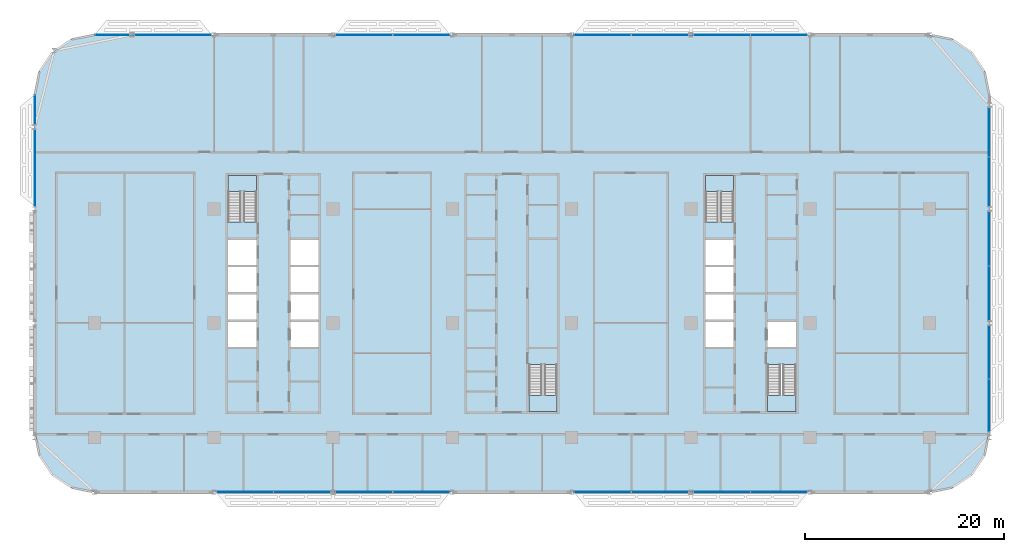
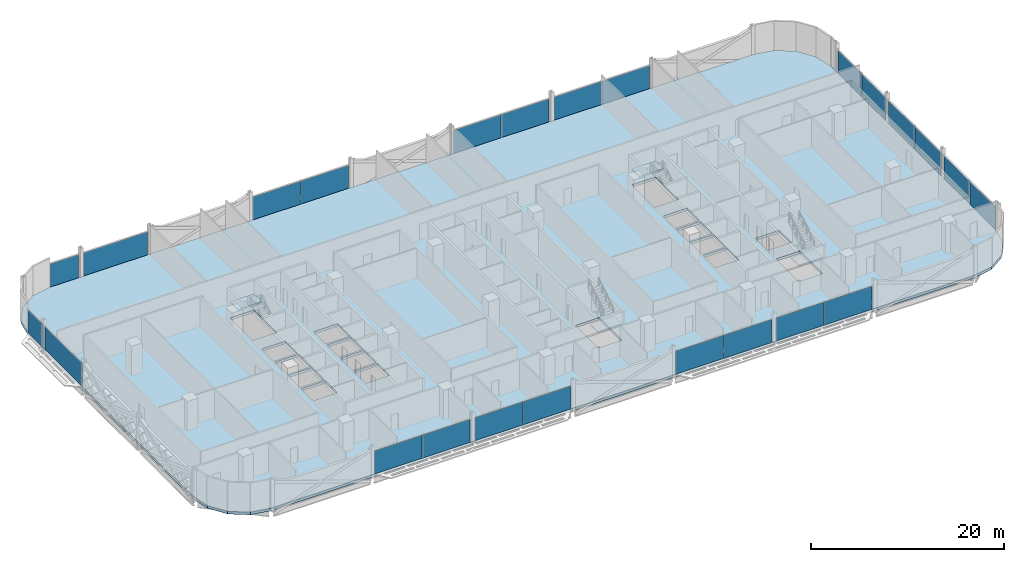
# One storey, part 11 of 29: 24 plates, 5 slabs, 18 elements without a shape of their own.
"""IFC4 building model written with IfcOpenShell, lengths in metres."""

from ifc_helpers import new_model, si_unit, direction, frame, origin, origin_2d, place, context, subcontext, project, spatial, polyline, rectangle, outline, extrude, material, layer, layer_set, type_object, element, aggregate, save


model = new_model("IFC4")

# Units and contexts
model_context = context("Model", 3, precision=1e-05, world=origin(), true_north=direction((0.0, 1.0)))
body_context = subcontext(model_context, "Body", "Model", "MODEL_VIEW")
ifc_project = project(units=[si_unit("LENGTHUNIT", "METRE"), si_unit("AREAUNIT", "SQUARE_METRE"), si_unit("VOLUMEUNIT", "CUBIC_METRE"), si_unit("PLANEANGLEUNIT", "RADIAN"), si_unit("MASSUNIT", "GRAM", prefix="KILO")], contexts=[model_context])

# Site, building, storey
site_placement = place(None, origin())
site = spatial("IfcSite", under=ifc_project, at=site_placement, CompositionType="ELEMENT")
building_placement = place(site_placement, origin())
building = spatial("IfcBuilding", under=site, at=building_placement, Name="Mahtab Terrace Research Tower", CompositionType="ELEMENT")
storey_placement = place(building_placement, frame((0.0, 0.0, 146.60009765625)))
storey = spatial("IfcBuildingStorey", under=building, at=storey_placement, Name="L34", CompositionType="ELEMENT", Elevation=146.60009765625)

# Stair, slab
ifc_material_1 = material(Name="Exit stair half-turn")
stair_type = type_object("IfcStairType", Name="Exit stair half-turn", PredefinedType="HALF_TURN_STAIR", material=ifc_material_1)
stair_1_placement = place(storey_placement, origin())
stair_1 = element("IfcStair", 1, at=stair_1_placement, inside=storey, type_object=stair_type, Name="L34 Protected exit stair ST1", PredefinedType="HALF_TURN_STAIR")
ifc_material_2 = material(Name="Concrete C40/50", Category="concrete")
ifc_layer_1 = layer(ifc_material_2, 0.199951171875)
ifc_layer_set_1 = layer_set([ifc_layer_1], Name="Exit stair landing 200")
slab_type_1 = type_object("IfcSlabType", Name="Exit stair landing 200", PredefinedType="LANDING", material=ifc_layer_set_1)
slab_1_placement = place(storey_placement, frame((0.0, 0.0, 1.849853515625)))
slab_1 = element("IfcSlab", 2, at=slab_1_placement, type_object=slab_type_1, Name="ST1 landing 1", PredefinedType="LANDING", context=body_context, shape_type="SweptSolid", body=[
    extrude(outline(polyline([(-25.699951171875, 13.2548828125), (-25.699951171875, 14.875), (-28.550048828125, 14.875), (-28.550048828125, 13.2548828125), (-25.699951171875, 13.2548828125)])), origin(), (0.0, 0.0, 1.0), 0.199951171875),
])
aggregate(stair_1, [slab_1])

stair_2_placement = place(storey_placement, origin())
stair_2 = element("IfcStair", 3, at=stair_2_placement, inside=storey, type_object=stair_type, Name="L34 Protected exit stair ST2", PredefinedType="HALF_TURN_STAIR")
slab_2_placement = place(storey_placement, frame((0.0, 0.0, 1.849853515625)))
slab_2 = element("IfcSlab", 4, at=slab_2_placement, type_object=slab_type_1, Name="ST2 landing 1", PredefinedType="LANDING", context=body_context, shape_type="SweptSolid", body=[
    extrude(outline(polyline([(1.699951171875, -7.2548828125), (1.699951171875, -8.875), (4.550048828125, -8.875), (4.550048828125, -7.2548828125), (1.699951171875, -7.2548828125)])), origin(), (0.0, 0.0, 1.0), 0.199951171875),
])
aggregate(stair_2, [slab_2])

stair_3_placement = place(storey_placement, origin())
stair_3 = element("IfcStair", 5, at=stair_3_placement, inside=storey, type_object=stair_type, Name="L34 Protected exit stair ST3", PredefinedType="HALF_TURN_STAIR")
slab_3_placement = place(storey_placement, frame((0.0, 0.0, 1.849853515625)))
slab_3 = element("IfcSlab", 6, at=slab_3_placement, type_object=slab_type_1, Name="ST3 landing 1", PredefinedType="LANDING", context=body_context, shape_type="SweptSolid", body=[
    extrude(outline(polyline([(22.300048828125, 13.2548828125), (22.300048828125, 14.875), (19.449951171875, 14.875), (19.449951171875, 13.2548828125), (22.300048828125, 13.2548828125)])), origin(), (0.0, 0.0, 1.0), 0.199951171875),
])
aggregate(stair_3, [slab_3])

stair_4_placement = place(storey_placement, origin())
stair_4 = element("IfcStair", 7, at=stair_4_placement, inside=storey, type_object=stair_type, Name="L34 Protected exit stair ST4", PredefinedType="HALF_TURN_STAIR")
slab_4_placement = place(storey_placement, frame((0.0, 0.0, 1.849853515625)))
slab_4 = element("IfcSlab", 8, at=slab_4_placement, type_object=slab_type_1, Name="ST4 landing 1", PredefinedType="LANDING", context=body_context, shape_type="SweptSolid", body=[
    extrude(outline(polyline([(25.699951171875, -7.2548828125), (25.699951171875, -8.875), (28.550048828125, -8.875), (28.550048828125, -7.2548828125), (25.699951171875, -7.2548828125)])), origin(), (0.0, 0.0, 1.0), 0.199951171875),
])
aggregate(stair_4, [slab_4])

# Curtain wall, plates
ifc_material_3 = material(Name="Laboratory ribbon curtain wall")
curtain_wall_type = type_object("IfcCurtainWallType", Name="Laboratory ribbon curtain wall", PredefinedType="NOTDEFINED", material=ifc_material_3)
curtain_wall_1_placement = place(storey_placement, origin())
curtain_wall_1 = element("IfcCurtainWall", 9, at=curtain_wall_1_placement, inside=storey, type_object=curtain_wall_type, Name="EN.L34.3.4", PredefinedType="NOTDEFINED")
ifc_material_4 = material(Name="Dark glazing", Category="glass")
ifc_layer_2 = layer(ifc_material_4, 0.031982421875)
ifc_layer_set_2 = layer_set([ifc_layer_2], Name="Laboratory ribbon curtain wall glazing panel")
plate_type = type_object("IfcPlateType", Name="Laboratory ribbon curtain wall glazing panel", PredefinedType="CURTAIN_PANEL", material=ifc_layer_set_2)
plate_1_placement = place(storey_placement, frame((26.874755859375, 29.0, 0.0), z_axis=(0.0, 0.0, 1.0), x_axis=(-1.0, 0.0, 0.0)))
plate_1 = element("IfcPlate", 10, at=plate_1_placement, type_object=plate_type, Name="CWL-4 panel 1", PredefinedType="CURTAIN_PANEL", context=body_context, shape_type="SweptSolid", body=[
    extrude(rectangle(XDim=5.6845703125, YDim=0.031982421875, at=origin_2d()), origin(), (0.0, 0.0, 1.0), 2.903076171875),
])
plate_2_placement = place(storey_placement, frame((21.125244140625, 29.0, 0.0), z_axis=(0.0, 0.0, 1.0), x_axis=(-1.0, 0.0, 0.0)))
plate_2 = element("IfcPlate", 11, at=plate_2_placement, type_object=plate_type, Name="CWL-4 panel 2", PredefinedType="CURTAIN_PANEL", context=body_context, shape_type="SweptSolid", body=[
    extrude(rectangle(XDim=5.6845703125, YDim=0.031982421875, at=origin_2d()), origin(), (0.0, 0.0, 1.0), 2.903076171875),
])
aggregate(curtain_wall_1, [plate_1, plate_2])

curtain_wall_2_placement = place(storey_placement, origin())
curtain_wall_2 = element("IfcCurtainWall", 12, at=curtain_wall_2_placement, inside=storey, type_object=curtain_wall_type, Name="EN.L34.3.5", PredefinedType="NOTDEFINED")
plate_3_placement = place(storey_placement, frame((14.874755859375, 29.0, 0.0), z_axis=(0.0, 0.0, 1.0), x_axis=(-1.0, 0.0, 0.0)))
plate_3 = element("IfcPlate", 13, at=plate_3_placement, type_object=plate_type, Name="CWL-4 panel 1", PredefinedType="CURTAIN_PANEL", context=body_context, shape_type="SweptSolid", body=[
    extrude(rectangle(XDim=5.6845703125, YDim=0.031982421875, at=origin_2d()), origin(), (0.0, 0.0, 1.0), 2.903076171875),
])
plate_4_placement = place(storey_placement, frame((9.125244140625, 29.0, 0.0), z_axis=(0.0, 0.0, 1.0), x_axis=(-1.0, 0.0, 0.0)))
plate_4 = element("IfcPlate", 14, at=plate_4_placement, type_object=plate_type, Name="CWL-4 panel 2", PredefinedType="CURTAIN_PANEL", context=body_context, shape_type="SweptSolid", body=[
    extrude(rectangle(XDim=5.6845703125, YDim=0.031982421875, at=origin_2d()), origin(), (0.0, 0.0, 1.0), 2.903076171875),
])
aggregate(curtain_wall_2, [plate_3, plate_4])

curtain_wall_3_placement = place(storey_placement, origin())
curtain_wall_3 = element("IfcCurtainWall", 15, at=curtain_wall_3_placement, inside=storey, type_object=curtain_wall_type, Name="EN.L34.3.7", PredefinedType="NOTDEFINED")
plate_5_placement = place(storey_placement, frame((-9.125244140625, 29.0, 0.0), z_axis=(0.0, 0.0, 1.0), x_axis=(-1.0, 0.0, 0.0)))
plate_5 = element("IfcPlate", 16, at=plate_5_placement, type_object=plate_type, Name="CWL-4 panel 1", PredefinedType="CURTAIN_PANEL", context=body_context, shape_type="SweptSolid", body=[
    extrude(rectangle(XDim=5.6845703125, YDim=0.031982421875, at=origin_2d()), origin(), (0.0, 0.0, 1.0), 2.903076171875),
])
plate_6_placement = place(storey_placement, frame((-14.874755859375, 29.0, 0.0), z_axis=(0.0, 0.0, 1.0), x_axis=(-1.0, 0.0, 0.0)))
plate_6 = element("IfcPlate", 17, at=plate_6_placement, type_object=plate_type, Name="CWL-4 panel 2", PredefinedType="CURTAIN_PANEL", context=body_context, shape_type="SweptSolid", body=[
    extrude(rectangle(XDim=5.6845703125, YDim=0.031982421875, at=origin_2d()), origin(), (0.0, 0.0, 1.0), 2.903076171875),
])
aggregate(curtain_wall_3, [plate_5, plate_6])

# Curtain wall, plate
curtain_wall_4_placement = place(storey_placement, origin())
curtain_wall_4 = element("IfcCurtainWall", 18, at=curtain_wall_4_placement, inside=storey, type_object=curtain_wall_type, Name="EN.L34.3.9", PredefinedType="NOTDEFINED")
plate_7_placement = place(storey_placement, frame((-34.115478515625, 29.0, 0.0), z_axis=(0.0, 0.0, 1.0), x_axis=(-1.0, 0.0, 0.0)))
plate_7 = element("IfcPlate", 19, at=plate_7_placement, type_object=plate_type, Name="CWL-4 panel 1", PredefinedType="CURTAIN_PANEL", context=body_context, shape_type="SweptSolid", body=[
    extrude(rectangle(XDim=7.6650390625, YDim=0.031982421875, at=origin_2d()), origin(), (0.0, 0.0, 1.0), 2.903076171875),
])
aggregate(curtain_wall_4, [plate_7])

curtain_wall_5_placement = place(storey_placement, origin())
curtain_wall_5 = element("IfcCurtainWall", 20, at=curtain_wall_5_placement, inside=storey, type_object=curtain_wall_type, Name="EN.L34.3.10", PredefinedType="NOTDEFINED")
plate_8_placement = place(storey_placement, frame((-40.224609375, 29.0, 0.0), z_axis=(0.0, 0.0, 1.0), x_axis=(-1.0, 0.0, 0.0)))
plate_8 = element("IfcPlate", 21, at=plate_8_placement, type_object=plate_type, Name="CWL-4 panel 1", PredefinedType="CURTAIN_PANEL", context=body_context, shape_type="SweptSolid", body=[
    extrude(rectangle(XDim=3.4208984375, YDim=0.031982421875, at=origin_2d()), origin(), (0.0, 0.0, 1.0), 2.903076171875),
])
aggregate(curtain_wall_5, [plate_8])

curtain_wall_6_placement = place(storey_placement, origin())
curtain_wall_6 = element("IfcCurtainWall", 22, at=curtain_wall_6_placement, inside=storey, type_object=curtain_wall_type, Name="EN.L34.8.15", PredefinedType="NOTDEFINED")
plate_9_placement = place(storey_placement, frame((-48.0, 21.474609375, 0.0), z_axis=(0.0, 0.0, 1.0), x_axis=(0.0, -1.0, 0.0)))
plate_9 = element("IfcPlate", 23, at=plate_9_placement, type_object=plate_type, Name="CWL-4 panel 1", PredefinedType="CURTAIN_PANEL", context=body_context, shape_type="SweptSolid", body=[
    extrude(rectangle(XDim=2.9208984375, YDim=0.031982421875, at=origin_2d()), origin(), (0.0, 0.0, 1.0), 2.903076171875),
])
aggregate(curtain_wall_6, [plate_9])

curtain_wall_7_placement = place(storey_placement, origin())
curtain_wall_7 = element("IfcCurtainWall", 24, at=curtain_wall_7_placement, inside=storey, type_object=curtain_wall_type, Name="EN.L34.8.16", PredefinedType="NOTDEFINED")
plate_10_placement = place(storey_placement, frame((-48.0, 15.615478515625, 0.0), z_axis=(0.0, 0.0, 1.0), x_axis=(0.0, -1.0, 0.0)))
plate_10 = element("IfcPlate", 25, at=plate_10_placement, type_object=plate_type, Name="CWL-4 panel 1", PredefinedType="CURTAIN_PANEL", context=body_context, shape_type="SweptSolid", body=[
    extrude(rectangle(XDim=7.6650390625, YDim=0.031982421875, at=origin_2d()), origin(), (0.0, 0.0, 1.0), 2.903076171875),
])
aggregate(curtain_wall_7, [plate_10])

# Curtain wall, plates
curtain_wall_8_placement = place(storey_placement, origin())
curtain_wall_8 = element("IfcCurtainWall", 26, at=curtain_wall_8_placement, inside=storey, type_object=curtain_wall_type, Name="EN.L34.13.25", PredefinedType="NOTDEFINED")
plate_11_placement = place(storey_placement, frame((-26.874755859375, -17.0, 0.0), z_axis=(0.0, 0.0, 1.0), x_axis=(1.0, 0.0, 0.0)))
plate_11 = element("IfcPlate", 27, at=plate_11_placement, type_object=plate_type, Name="CWL-4 panel 1", PredefinedType="CURTAIN_PANEL", context=body_context, shape_type="SweptSolid", body=[
    extrude(rectangle(XDim=5.6845703125, YDim=0.031982421875, at=origin_2d()), origin(), (0.0, 0.0, 1.0), 2.903076171875),
])
plate_12_placement = place(storey_placement, frame((-21.125244140625, -17.0, 0.0), z_axis=(0.0, 0.0, 1.0), x_axis=(1.0, 0.0, 0.0)))
plate_12 = element("IfcPlate", 28, at=plate_12_placement, type_object=plate_type, Name="CWL-4 panel 2", PredefinedType="CURTAIN_PANEL", context=body_context, shape_type="SweptSolid", body=[
    extrude(rectangle(XDim=5.6845703125, YDim=0.031982421875, at=origin_2d()), origin(), (0.0, 0.0, 1.0), 2.903076171875),
])
aggregate(curtain_wall_8, [plate_11, plate_12])

curtain_wall_9_placement = place(storey_placement, origin())
curtain_wall_9 = element("IfcCurtainWall", 29, at=curtain_wall_9_placement, inside=storey, type_object=curtain_wall_type, Name="EN.L34.13.26", PredefinedType="NOTDEFINED")
plate_13_placement = place(storey_placement, frame((-14.874755859375, -17.0, 0.0), z_axis=(0.0, 0.0, 1.0), x_axis=(1.0, 0.0, 0.0)))
plate_13 = element("IfcPlate", 30, at=plate_13_placement, type_object=plate_type, Name="CWL-4 panel 1", PredefinedType="CURTAIN_PANEL", context=body_context, shape_type="SweptSolid", body=[
    extrude(rectangle(XDim=5.6845703125, YDim=0.031982421875, at=origin_2d()), origin(), (0.0, 0.0, 1.0), 2.903076171875),
])
plate_14_placement = place(storey_placement, frame((-9.125244140625, -17.0, 0.0), z_axis=(0.0, 0.0, 1.0), x_axis=(1.0, 0.0, 0.0)))
plate_14 = element("IfcPlate", 31, at=plate_14_placement, type_object=plate_type, Name="CWL-4 panel 2", PredefinedType="CURTAIN_PANEL", context=body_context, shape_type="SweptSolid", body=[
    extrude(rectangle(XDim=5.6845703125, YDim=0.031982421875, at=origin_2d()), origin(), (0.0, 0.0, 1.0), 2.903076171875),
])
aggregate(curtain_wall_9, [plate_13, plate_14])

curtain_wall_10_placement = place(storey_placement, origin())
curtain_wall_10 = element("IfcCurtainWall", 32, at=curtain_wall_10_placement, inside=storey, type_object=curtain_wall_type, Name="EN.L34.13.28", PredefinedType="NOTDEFINED")
plate_15_placement = place(storey_placement, frame((9.125244140625, -17.0, 0.0), z_axis=(0.0, 0.0, 1.0), x_axis=(1.0, 0.0, 0.0)))
plate_15 = element("IfcPlate", 33, at=plate_15_placement, type_object=plate_type, Name="CWL-4 panel 1", PredefinedType="CURTAIN_PANEL", context=body_context, shape_type="SweptSolid", body=[
    extrude(rectangle(XDim=5.6845703125, YDim=0.031982421875, at=origin_2d()), origin(), (0.0, 0.0, 1.0), 2.903076171875),
])
plate_16_placement = place(storey_placement, frame((14.874755859375, -17.0, 0.0), z_axis=(0.0, 0.0, 1.0), x_axis=(1.0, 0.0, 0.0)))
plate_16 = element("IfcPlate", 34, at=plate_16_placement, type_object=plate_type, Name="CWL-4 panel 2", PredefinedType="CURTAIN_PANEL", context=body_context, shape_type="SweptSolid", body=[
    extrude(rectangle(XDim=5.6845703125, YDim=0.031982421875, at=origin_2d()), origin(), (0.0, 0.0, 1.0), 2.903076171875),
])
aggregate(curtain_wall_10, [plate_15, plate_16])

curtain_wall_11_placement = place(storey_placement, origin())
curtain_wall_11 = element("IfcCurtainWall", 35, at=curtain_wall_11_placement, inside=storey, type_object=curtain_wall_type, Name="EN.L34.13.29", PredefinedType="NOTDEFINED")
plate_17_placement = place(storey_placement, frame((21.125244140625, -17.0, 0.0), z_axis=(0.0, 0.0, 1.0), x_axis=(1.0, 0.0, 0.0)))
plate_17 = element("IfcPlate", 36, at=plate_17_placement, type_object=plate_type, Name="CWL-4 panel 1", PredefinedType="CURTAIN_PANEL", context=body_context, shape_type="SweptSolid", body=[
    extrude(rectangle(XDim=5.6845703125, YDim=0.031982421875, at=origin_2d()), origin(), (0.0, 0.0, 1.0), 2.903076171875),
])
plate_18_placement = place(storey_placement, frame((26.874755859375, -17.0, 0.0), z_axis=(0.0, 0.0, 1.0), x_axis=(1.0, 0.0, 0.0)))
plate_18 = element("IfcPlate", 37, at=plate_18_placement, type_object=plate_type, Name="CWL-4 panel 2", PredefinedType="CURTAIN_PANEL", context=body_context, shape_type="SweptSolid", body=[
    extrude(rectangle(XDim=5.6845703125, YDim=0.031982421875, at=origin_2d()), origin(), (0.0, 0.0, 1.0), 2.903076171875),
])
aggregate(curtain_wall_11, [plate_17, plate_18])

curtain_wall_12_placement = place(storey_placement, origin())
curtain_wall_12 = element("IfcCurtainWall", 38, at=curtain_wall_12_placement, inside=storey, type_object=curtain_wall_type, Name="EN.L34.18.36", PredefinedType="NOTDEFINED")
plate_19_placement = place(storey_placement, frame((48.0, -8.288330078125, 0.0), z_axis=(0.0, 0.0, 1.0), x_axis=(0.0, 1.0, 0.0)))
plate_19 = element("IfcPlate", 39, at=plate_19_placement, type_object=plate_type, Name="CWL-4 panel 1", PredefinedType="CURTAIN_PANEL", context=body_context, shape_type="SweptSolid", body=[
    extrude(rectangle(XDim=5.29345703125, YDim=0.031982421875, at=origin_2d()), origin(), (0.0, 0.0, 1.0), 2.903076171875),
])
plate_20_placement = place(storey_placement, frame((48.0, -2.9296875, 0.0), z_axis=(0.0, 0.0, 1.0), x_axis=(0.0, 1.0, 0.0)))
plate_20 = element("IfcPlate", 40, at=plate_20_placement, type_object=plate_type, Name="CWL-4 panel 2", PredefinedType="CURTAIN_PANEL", context=body_context, shape_type="SweptSolid", body=[
    extrude(rectangle(XDim=5.29345703125, YDim=0.031982421875, at=origin_2d()), origin(), (0.0, 0.0, 1.0), 2.903076171875),
])
aggregate(curtain_wall_12, [plate_19, plate_20])

curtain_wall_13_placement = place(storey_placement, origin())
curtain_wall_13 = element("IfcCurtainWall", 41, at=curtain_wall_13_placement, inside=storey, type_object=curtain_wall_type, Name="EN.L34.18.37", PredefinedType="NOTDEFINED")
plate_21_placement = place(storey_placement, frame((48.0, 3.000244140625, 0.0), z_axis=(0.0, 0.0, 1.0), x_axis=(0.0, 1.0, 0.0)))
plate_21 = element("IfcPlate", 42, at=plate_21_placement, type_object=plate_type, Name="CWL-4 panel 1", PredefinedType="CURTAIN_PANEL", context=body_context, shape_type="SweptSolid", body=[
    extrude(rectangle(XDim=5.4345703125, YDim=0.031982421875, at=origin_2d()), origin(), (0.0, 0.0, 1.0), 2.903076171875),
])
plate_22_placement = place(storey_placement, frame((48.0, 8.499755859375, 0.0), z_axis=(0.0, 0.0, 1.0), x_axis=(0.0, 1.0, 0.0)))
plate_22 = element("IfcPlate", 43, at=plate_22_placement, type_object=plate_type, Name="CWL-4 panel 2", PredefinedType="CURTAIN_PANEL", context=body_context, shape_type="SweptSolid", body=[
    extrude(rectangle(XDim=5.4345703125, YDim=0.031982421875, at=origin_2d()), origin(), (0.0, 0.0, 1.0), 2.903076171875),
])
aggregate(curtain_wall_13, [plate_21, plate_22])

curtain_wall_14_placement = place(storey_placement, origin())
curtain_wall_14 = element("IfcCurtainWall", 44, at=curtain_wall_14_placement, inside=storey, type_object=curtain_wall_type, Name="EN.L34.18.38", PredefinedType="NOTDEFINED")
plate_23_placement = place(storey_placement, frame((48.0, 14.24072265625, 0.0), z_axis=(0.0, 0.0, 1.0), x_axis=(0.0, 1.0, 0.0)))
plate_23 = element("IfcPlate", 45, at=plate_23_placement, type_object=plate_type, Name="CWL-4 panel 1", PredefinedType="CURTAIN_PANEL", context=body_context, shape_type="SweptSolid", body=[
    extrude(rectangle(XDim=4.91552734375, YDim=0.031982421875, at=origin_2d()), origin(), (0.0, 0.0, 1.0), 2.903076171875),
])
plate_24_placement = place(storey_placement, frame((48.0, 19.22119140625, 0.0), z_axis=(0.0, 0.0, 1.0), x_axis=(0.0, 1.0, 0.0)))
plate_24 = element("IfcPlate", 46, at=plate_24_placement, type_object=plate_type, Name="CWL-4 panel 2", PredefinedType="CURTAIN_PANEL", context=body_context, shape_type="SweptSolid", body=[
    extrude(rectangle(XDim=4.91552734375, YDim=0.031982421875, at=origin_2d()), origin(), (0.0, 0.0, 1.0), 2.903076171875),
])
aggregate(curtain_wall_14, [plate_23, plate_24])

# Slab
ifc_layer_3 = layer(ifc_material_2, 0.340087890625)
ifc_layer_set_3 = layer_set([ifc_layer_3], Name="PT flat slab 340")
slab_type_2 = type_object("IfcSlabType", Name="PT flat slab 340", PredefinedType="FLOOR", material=ifc_layer_set_3)
slab_5_placement = place(storey_placement, frame((0.0, 0.0, -0.340087890625)))
element("IfcSlab", 47, at=slab_5_placement, inside=storey, type_object=slab_type_2, Name="Floor slab L34", PredefinedType="FLOOR", context=body_context, shape_type="SweptSolid", body=[
    extrude(outline(polyline([(47.54296875, 25.2958984375), (46.242919921875, 27.242919921875), (44.2958984375, 28.54296875), (42.0, 29.0), (-42.0, 29.0), (-44.2958984375, 28.54296875), (-46.242919921875, 27.242919921875), (-47.54296875, 25.2958984375), (-48.0, 23.0), (-48.0, -11.0), (-47.54296875, -13.2958984375), (-46.242919921875, -15.242919921875), (-44.2958984375, -16.54296875), (-42.0, -17.0), (42.0, -17.0), (44.2958984375, -16.54296875), (46.242919921875, -15.242919921875), (47.54296875, -13.2958984375), (48.0, -11.0), (48.0, 23.0), (47.54296875, 25.2958984375)]), holes=[polyline([(-28.550048828125, -2.375), (-28.550048828125, 0.125), (-25.699951171875, 0.125), (-25.699951171875, -2.375), (-28.550048828125, -2.375)]), polyline([(-22.300048828125, -2.375), (-22.300048828125, 0.125), (-19.449951171875, 0.125), (-19.449951171875, -2.375), (-22.300048828125, -2.375)]), polyline([(-28.550048828125, 0.375), (-28.550048828125, 2.875), (-25.699951171875, 2.875), (-25.699951171875, 0.375), (-28.550048828125, 0.375)]), polyline([(-22.300048828125, 0.375), (-22.300048828125, 2.875), (-19.449951171875, 2.875), (-19.449951171875, 0.375), (-22.300048828125, 0.375)]), polyline([(-28.550048828125, 3.125), (-28.550048828125, 5.625), (-25.699951171875, 5.625), (-25.699951171875, 3.125), (-28.550048828125, 3.125)]), polyline([(-22.300048828125, 3.125), (-22.300048828125, 5.625), (-19.449951171875, 5.625), (-19.449951171875, 3.125), (-22.300048828125, 3.125)]), polyline([(-28.550048828125, 5.875), (-28.550048828125, 8.375), (-25.699951171875, 8.375), (-25.699951171875, 5.875), (-28.550048828125, 5.875)]), polyline([(-22.300048828125, 5.875), (-22.300048828125, 8.375), (-19.449951171875, 8.375), (-19.449951171875, 5.875), (-22.300048828125, 5.875)]), polyline([(-28.550048828125, 10.177001953125), (-28.550048828125, 14.875), (-25.699951171875, 14.875), (-25.699951171875, 10.177001953125), (-28.550048828125, 10.177001953125)]), polyline([(1.699951171875, -8.875), (1.699951171875, -4.177001953125), (4.550048828125, -4.177001953125), (4.550048828125, -8.875), (1.699951171875, -8.875)]), polyline([(25.699951171875, -8.875), (25.699951171875, -4.177001953125), (28.550048828125, -4.177001953125), (28.550048828125, -8.875), (25.699951171875, -8.875)]), polyline([(19.449951171875, -2.375), (19.449951171875, 0.125), (22.300048828125, 0.125), (22.300048828125, -2.375), (19.449951171875, -2.375)]), polyline([(25.699951171875, -2.375), (25.699951171875, 0.125), (28.550048828125, 0.125), (28.550048828125, -2.375), (25.699951171875, -2.375)]), polyline([(19.449951171875, 0.375), (19.449951171875, 2.875), (22.300048828125, 2.875), (22.300048828125, 0.375), (19.449951171875, 0.375)]), polyline([(19.449951171875, 3.125), (19.449951171875, 5.625), (22.300048828125, 5.625), (22.300048828125, 3.125), (19.449951171875, 3.125)]), polyline([(19.449951171875, 8.375), (22.300048828125, 8.375), (22.300048828125, 5.875), (19.449951171875, 5.875), (19.449951171875, 8.375)]), polyline([(19.449951171875, 14.875), (22.300048828125, 14.875), (22.300048828125, 10.177001953125), (19.449951171875, 10.177001953125), (19.449951171875, 14.875)])]), origin(), (0.0, 0.0, 1.0), 0.340087890625),
])

save(model, "model.ifc")
